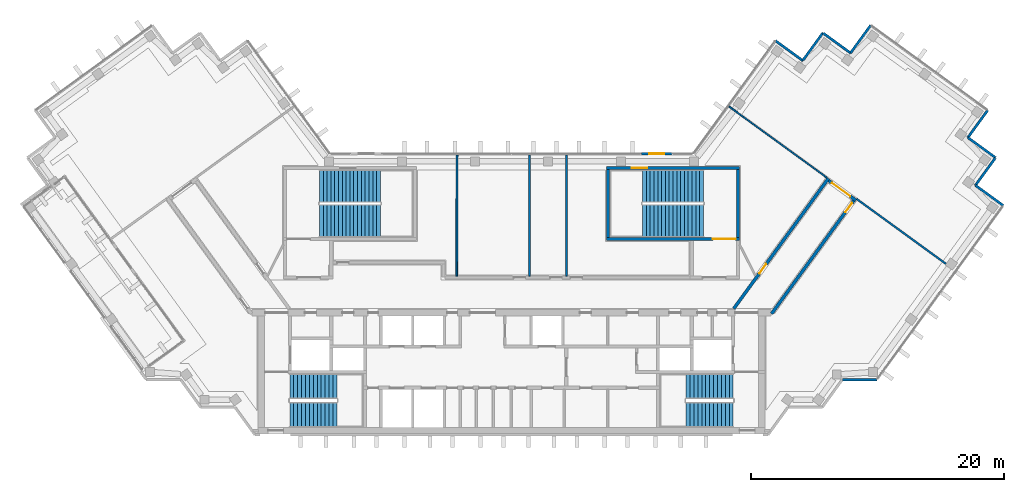
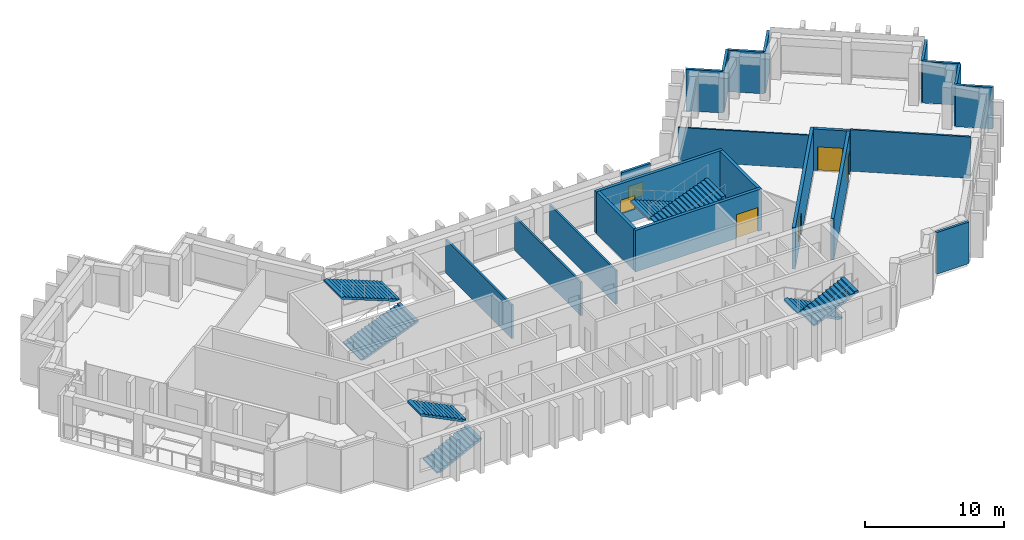
# One storey, part 8 of 10: 22 walls, 8 stair flights, 4 doors, 2 windows, 6 openings, 4 elements without a shape of their own.
"""IFC4 building model written with IfcOpenShell, lengths in metres."""

from ifc_helpers import new_model, si_unit, direction, frame, frame_2d, origin, place, context, subcontext, project, spatial, polyline, rectangle, outline, extrude, material, layer, layer_set, type_object, element, fill, aggregate, save


model = new_model("IFC4")

# Units and contexts
model_context = context("Model", 3, precision=1e-05, world=origin(), true_north=direction((0.0, 1.0)))
body_context = subcontext(model_context, "Body", "Model", "MODEL_VIEW")
ifc_project = project(units=[si_unit("LENGTHUNIT", "METRE"), si_unit("AREAUNIT", "SQUARE_METRE"), si_unit("VOLUMEUNIT", "CUBIC_METRE"), si_unit("PLANEANGLEUNIT", "RADIAN"), si_unit("MASSUNIT", "GRAM", prefix="KILO")], contexts=[model_context])

# Site, building, storey
site_placement = place(None, origin())
site = spatial("IfcSite", under=ifc_project, at=site_placement, CompositionType="ELEMENT")
building_placement = place(site_placement, origin())
building = spatial("IfcBuilding", under=site, at=building_placement, Name="Quipu Civic Tower", CompositionType="ELEMENT")
storey_placement = place(building_placement, frame((0.0, 0.0, 261.0)))
storey = spatial("IfcBuildingStorey", under=building, at=storey_placement, Name="L61", CompositionType="ELEMENT", Elevation=261.0)

# Walls
ifc_material_1 = material(Name="Double gypsum plasterboard with mineral wool")
ifc_layer_1 = layer(ifc_material_1, 0.14990234375)
ifc_layer_set_1 = layer_set([ifc_layer_1], Name="Double gypsum plasterboard with mineral wool")
wall_type_1 = type_object("IfcWallType", Name="Acoustic partition 150 plasterboard", PredefinedType="PARTITIONING", material=ifc_layer_set_1)
for number, where, z_axis, x_axis, name in (
    (1, (-4.29638671875, 11.0, 0.0), (0.0, 0.0, 1.0), (-0.002377476217, -0.999997173799, 0.0), "Partition P03"),
    (2, (1.419921875, 1.449951171875, 0.0), (0.0, 0.0, 1.0), (0.0, 1.0, 0.0), "Partition P04"),
):
    element("IfcWall", number, at=place(storey_placement, frame(where, z_axis=z_axis, x_axis=x_axis)), inside=storey, type_object=wall_type_1, Name=name, PredefinedType="PARTITIONING", context=body_context, shape_type="SweptSolid", body=[
        extrude(rectangle(XDim=9.550048828125, YDim=0.14990234375, at=frame_2d((4.77490234375, 0.0))), origin(), (0.0, 0.0, 1.0), 2.949951171875),
    ])
wall_1_placement = place(storey_placement, frame((27.240478515625, 7.532470703125, 0.0), z_axis=(0.0, 0.0, 1.0), x_axis=(0.809027940177, -0.587770186393, 0.0)))
element("IfcWall", 3, at=wall_1_placement, inside=storey, type_object=wall_type_1, Name="Partition P05", PredefinedType="PARTITIONING", context=body_context, shape_type="SweptSolid", body=[
    extrude(rectangle(XDim=8.71484375, YDim=0.14990234375, at=frame_2d((4.357421875, 0.0))), origin(), (0.0, 0.0, 1.0), 3.64990234375),
])
wall_2_placement = place(storey_placement, frame((4.339111328125, 11.0, 0.0), z_axis=(0.0, 0.0, 1.0), x_axis=(0.0, -1.0, 0.0)))
element("IfcWall", 4, at=wall_2_placement, inside=storey, type_object=wall_type_1, Name="Partition P07", PredefinedType="PARTITIONING", context=body_context, shape_type="SweptSolid", body=[
    extrude(rectangle(XDim=9.550048828125, YDim=0.14990234375, at=frame_2d((4.77490234375, 0.0))), origin(), (0.0, 0.0, 1.0), 2.949951171875),
])

# Wall, opening, door
ifc_material_2 = material(Name="Concrete C70/85", Category="concrete")
ifc_layer_2 = layer(ifc_material_2, 0.25)
ifc_layer_set_2 = layer_set([ifc_layer_2], Name="Concrete C70/85")
wall_type_2 = type_object("IfcWallType", Name="Core wall 250", PredefinedType="SHEAR", material=ifc_layer_set_2)
wall_3_placement = place(storey_placement, frame((7.5, 4.375, 0.0), z_axis=(0.0, 0.0, 1.0), x_axis=(1.0, 0.0, 0.0)))
wall_3 = element("IfcWall", 5, at=wall_3_placement, inside=storey, type_object=wall_type_2, Name="Core wall", PredefinedType="SHEAR", context=body_context, shape_type="SweptSolid", body=[
    extrude(rectangle(XDim=10.5, YDim=0.25, at=frame_2d((5.25, 0.0))), origin(), (0.0, 0.0, 1.0), 3.64990234375),
])
opening_1_placement = place(wall_3_placement, frame((8.39990234375, 0.0, 0.0)))
opening_1 = element("IfcOpeningElement", 6, at=opening_1_placement, cuts=wall_3, Name="Opening CD-30", PredefinedType="OPENING", context=body_context, shape_type="SweptSolid", body=[
    extrude(rectangle(XDim=1.800048828125, YDim=2.10009765625, at=frame_2d((0.89990234375, 1.050048828125))), frame((0.0, 0.135009765625, 0.0), z_axis=(0.0, -1.0, 0.0), x_axis=(1.0, 0.0, 0.0)), (0.0, 0.0, 1.0), 0.27001953125),
])
ifc_material_3 = material(Name="Fire rated steel door", Category="steel")
door_type_1 = type_object("IfcDoorType", Name="Fire door FD90 double 1800 x 2100", OperationType="NOTDEFINED", PredefinedType="DOOR", material=ifc_material_3)
door_1_placement = place(opening_1_placement, origin())
door_1 = element("IfcDoor", 7, at=door_1_placement, inside=storey, type_object=door_type_1, Name="Door", OperationType="DOUBLE_DOOR_SINGLE_SWING", OverallHeight=2.10009765625, OverallWidth=1.800048828125, PredefinedType="DOOR", context=body_context, shape_type="SweptSolid", body=[
    extrude(rectangle(XDim=1.800048828125, YDim=2.10009765625, at=frame_2d((0.89990234375, 1.050048828125))), frame((0.0, 0.02490234375, 0.0), z_axis=(0.0, -1.0, 0.0), x_axis=(1.0, 0.0, 0.0)), (0.0, 0.0, 1.0), 0.050048828125),
])
fill(opening_1, door_1)

# Walls
for number, where, z_axis, x_axis, name in (
    (8, (7.625, 4.5, 0.0), (0.0, 0.0, 1.0), (0.0, 1.0, 0.0), "Core wall"),
    (9, (17.875, 4.5, 0.0), (0.0, 0.0, 1.0), (0.0, 1.0, 0.0), "Core wall"),
):
    element("IfcWall", number, at=place(storey_placement, frame(where, z_axis=z_axis, x_axis=x_axis)), inside=storey, type_object=wall_type_2, Name=name, PredefinedType="SHEAR", context=body_context, shape_type="SweptSolid", body=[
        extrude(rectangle(XDim=5.35009765625, YDim=0.25, at=frame_2d((2.675048828125, 0.0))), origin(), (0.0, 0.0, 1.0), 3.64990234375),
    ])

# Wall, opening, window
wall_4_placement = place(storey_placement, frame((7.5, 9.97509765625, 0.0), z_axis=(0.0, 0.0, 1.0), x_axis=(1.0, 0.0, 0.0)))
wall_4 = element("IfcWall", 10, at=wall_4_placement, inside=storey, type_object=wall_type_2, Name="Core wall", PredefinedType="SHEAR", context=body_context, shape_type="SweptSolid", body=[
    extrude(rectangle(XDim=10.5, YDim=0.25, at=frame_2d((5.25, 0.0))), origin(), (0.0, 0.0, 1.0), 3.64990234375),
])
opening_2_placement = place(wall_4_placement, frame((2.0, 0.0, 1.0)))
opening_2 = element("IfcOpeningElement", 11, at=opening_2_placement, cuts=wall_4, Name="Opening SV-4", PredefinedType="OPENING", context=body_context, shape_type="SweptSolid", body=[
    extrude(rectangle(XDim=1.199951171875, YDim=1.199951171875, at=frame_2d((0.60009765625, 0.60009765625))), frame((0.0, 0.135009765625, 0.0), z_axis=(0.0, -1.0, 0.0), x_axis=(1.0, 0.0, 0.0)), (0.0, 0.0, 1.0), 0.27001953125),
])
ifc_material_4 = material(Name="Aluminium louvre", Category="aluminium")
window_type_1 = type_object("IfcWindowType", Name="Stair ventilation louvre 1200 x 1200", PartitioningType="SINGLE_PANEL", PredefinedType="WINDOW", material=ifc_material_4)
window_1_placement = place(opening_2_placement, origin())
window_1 = element("IfcWindow", 12, at=window_1_placement, inside=storey, type_object=window_type_1, Name="Stair ventilation opening", OverallHeight=1.199951171875, OverallWidth=1.199951171875, PartitioningType="SINGLE_PANEL", PredefinedType="WINDOW", context=body_context, shape_type="SweptSolid", body=[
    extrude(rectangle(XDim=1.199951171875, YDim=1.199951171875, at=frame_2d((0.60009765625, 0.60009765625))), frame((0.0, 0.030029296875, 0.0), z_axis=(0.0, -1.0, 0.0), x_axis=(1.0, 0.0, 0.0)), (0.0, 0.0, 1.0), 0.06005859375),
])
fill(opening_2, window_1)

# Wall, opening, door
ifc_material_5 = material(Name="Concrete C50/60", Category="concrete")
ifc_layer_3 = layer(ifc_material_5, 0.25)
ifc_layer_set_3 = layer_set([ifc_layer_3], Name="Concrete C50/60")
wall_type_3 = type_object("IfcWallType", Name="Corridor wall 250 concrete", PredefinedType="SOLIDWALL", material=ifc_layer_set_3)
wall_5_placement = place(storey_placement, frame((17.544921875, -1.124755859375, 0.0), z_axis=(0.0, 0.0, 1.0), x_axis=(0.587796810203, 0.809008596935, 0.0)))
wall_5 = element("IfcWall", 13, at=wall_5_placement, inside=storey, type_object=wall_type_3, Name="Corridor wall C01", PredefinedType="SOLIDWALL", context=body_context, shape_type="SweptSolid", body=[
    extrude(rectangle(XDim=12.703125, YDim=0.25, at=frame_2d((6.3515625, 0.0))), origin(), (0.0, 0.0, 1.0), 3.64990234375),
])
opening_3_placement = place(wall_5_placement, frame((3.44140625, 0.0, 0.0)))
opening_3 = element("IfcOpeningElement", 14, at=opening_3_placement, cuts=wall_5, Name="Opening D001", PredefinedType="OPENING", context=body_context, shape_type="SweptSolid", body=[
    extrude(rectangle(XDim=0.89990234375, YDim=2.10009765625, at=frame_2d((0.449951171875, 1.050048828125))), frame((0.0, 0.135009765625, 0.0), z_axis=(0.0, -1.0, 0.0), x_axis=(1.0, 0.0, 0.0)), (0.0, 0.0, 1.0), 0.27001953125),
])
ifc_material_6 = material(Name="Fire rated timber door set with metal frame", Category="wood")
door_type_2 = type_object("IfcDoorType", Name="Single door 900 x 2100 FD60", OperationType="NOTDEFINED", PredefinedType="DOOR", material=ifc_material_6)
door_2_placement = place(opening_3_placement, origin())
door_2 = element("IfcDoor", 15, at=door_2_placement, inside=storey, type_object=door_type_2, Name="Door D001", OperationType="SINGLE_SWING_LEFT", OverallHeight=2.10009765625, OverallWidth=0.89990234375, PredefinedType="DOOR", context=body_context, shape_type="SweptSolid", body=[
    extrude(rectangle(XDim=0.89990234375, YDim=2.10009765625, at=frame_2d((0.449951171875, 1.050048828125))), frame((0.0, 0.02490234375, 0.0), z_axis=(0.0, -1.0, 0.0), x_axis=(1.0, 0.0, 0.0)), (0.0, 0.0, 1.0), 0.050048828125),
])
fill(opening_3, door_2)

wall_6_placement = place(storey_placement, frame((25.039306640625, 8.9775390625, 0.0), z_axis=(0.0, 0.0, 1.0), x_axis=(0.809006914995, -0.587799125119, 0.0)))
wall_6 = element("IfcWall", 16, at=wall_6_placement, inside=storey, type_object=wall_type_3, Name="Corridor wall C02", PredefinedType="SOLIDWALL", context=body_context, shape_type="SweptSolid", body=[
    extrude(rectangle(XDim=2.64990234375, YDim=0.25, at=frame_2d((1.324951171875, 0.0))), origin(), (0.0, 0.0, 1.0), 3.64990234375),
])
opening_4_placement = place(wall_6_placement, frame((0.300537109375, 0.0, 0.0)))
opening_4 = element("IfcOpeningElement", 17, at=opening_4_placement, cuts=wall_6, Name="Opening D003", PredefinedType="OPENING", context=body_context, shape_type="SweptSolid", body=[
    extrude(rectangle(XDim=1.800048828125, YDim=2.10009765625, at=frame_2d((0.89990234375, 1.050048828125))), frame((0.0, 0.135009765625, 0.0), z_axis=(0.0, -1.0, 0.0), x_axis=(1.0, 0.0, 0.0)), (0.0, 0.0, 1.0), 0.27001953125),
])
ifc_material_7 = material(Name="Fire rated timber door set with metal frame", Category="wood")
door_type_3 = type_object("IfcDoorType", Name="Double door 1800 x 2100 FD60", OperationType="DOUBLE_DOOR_SINGLE_SWING", PredefinedType="DOOR", material=ifc_material_7)
door_3_placement = place(opening_4_placement, origin())
door_3 = element("IfcDoor", 18, at=door_3_placement, inside=storey, type_object=door_type_3, Name="Door D003", OperationType="DOUBLE_DOOR_SINGLE_SWING", OverallHeight=2.10009765625, OverallWidth=1.800048828125, PredefinedType="DOOR", context=body_context, shape_type="SweptSolid", body=[
    extrude(rectangle(XDim=1.800048828125, YDim=2.10009765625, at=frame_2d((0.89990234375, 1.050048828125))), frame((0.0, 0.02490234375, 0.0), z_axis=(0.0, -1.0, 0.0), x_axis=(1.0, 0.0, 0.0)), (0.0, 0.0, 1.0), 0.050048828125),
])
fill(opening_4, door_3)

wall_7_placement = place(storey_placement, frame((27.008544921875, 7.392333984375, 0.0), z_axis=(0.0, 0.0, 1.0), x_axis=(-0.587776457057, -0.809023384414, 0.0)))
wall_7 = element("IfcWall", 19, at=wall_7_placement, inside=storey, type_object=wall_type_3, Name="Corridor wall C03", PredefinedType="SOLIDWALL", context=body_context, shape_type="SweptSolid", body=[
    extrude(rectangle(XDim=11.0205078125, YDim=0.25, at=frame_2d((5.51025390625, 0.0))), origin(), (0.0, 0.0, 1.0), 3.64990234375),
])
opening_5_placement = place(wall_7_placement, frame((0.224609375, 0.0, 0.0)))
opening_5 = element("IfcOpeningElement", 20, at=opening_5_placement, cuts=wall_7, Name="Opening D002", PredefinedType="OPENING", context=body_context, shape_type="SweptSolid", body=[
    extrude(rectangle(XDim=0.89990234375, YDim=2.10009765625, at=frame_2d((0.449951171875, 1.050048828125))), frame((0.0, 0.135009765625, 0.0), z_axis=(0.0, -1.0, 0.0), x_axis=(1.0, 0.0, 0.0)), (0.0, 0.0, 1.0), 0.27001953125),
])
door_4_placement = place(opening_5_placement, origin())
door_4 = element("IfcDoor", 21, at=door_4_placement, inside=storey, type_object=door_type_2, Name="Door D002", OperationType="SINGLE_SWING_LEFT", OverallHeight=2.10009765625, OverallWidth=0.89990234375, PredefinedType="DOOR", context=body_context, shape_type="SweptSolid", body=[
    extrude(rectangle(XDim=0.89990234375, YDim=2.10009765625, at=frame_2d((0.449951171875, 1.050048828125))), frame((0.0, 0.02490234375, 0.0), z_axis=(0.0, -1.0, 0.0), x_axis=(1.0, 0.0, 0.0)), (0.0, 0.0, 1.0), 0.050048828125),
])
fill(opening_5, door_4)

# Walls
ifc_material_8 = material(Name="Gypsum plasterboard on light gauge framing")
ifc_layer_4 = layer(ifc_material_8, 0.1201171875)
ifc_layer_set_4 = layer_set([ifc_layer_4], Name="Gypsum plasterboard on light gauge framing")
wall_type_4 = type_object("IfcWallType", Name="Partition 120 plasterboard", PredefinedType="PARTITIONING", material=ifc_layer_set_4)
wall_8_placement = place(storey_placement, frame((24.89794921875, 9.20947265625, 0.0), z_axis=(0.0, 0.0, 1.0), x_axis=(-0.809013490065, 0.587790075531, 0.0)))
element("IfcWall", 22, at=wall_8_placement, inside=storey, type_object=wall_type_4, Name="Partition P01", PredefinedType="PARTITIONING", context=body_context, shape_type="SweptSolid", body=[
    extrude(rectangle(XDim=9.54931640625, YDim=0.1201171875, at=frame_2d((4.774658203125, 0.0))), origin(), (0.0, 0.0, 1.0), 2.949951171875),
])
ifc_material_9 = material(Name="Precast concrete C40/50", Category="concrete")
wall_type_5 = type_object("IfcWallType", Name="Precast cladding wall", PredefinedType="SOLIDWALL", material=ifc_material_9)
for number, where, z_axis, x_axis, name in (
    (23, (26.1298828125, -6.71923828125, 0.0), (0.0, 0.0, 1.0), (1.0, 0.0, 0.0), "Precast cladding wall L61 P09"),
    (24, (38.813720703125, 7.010498046875, 0.0), (0.0, 0.0, 1.0), (-0.809033161865, 0.587762999008, 0.0), "Precast cladding wall L61 P11"),
    (25, (36.60205078125, 8.580322265625, 0.0), (0.0, 0.0, 1.0), (0.587822180636, 0.808990163075, 0.0), "Precast cladding wall L61 P12"),
    (26, (38.21630859375, 10.78173828125, 0.0), (0.0, 0.0, 1.0), (-0.809033161865, 0.587762999008, 0.0), "Precast cladding wall L61 P13"),
    (27, (36.0048828125, 12.3515625, 0.0), (0.0, 0.0, 1.0), (0.587762999008, 0.809033161865, 0.0), "Precast cladding wall L61 P14"),
):
    element("IfcWall", number, at=place(storey_placement, frame(where, z_axis=z_axis, x_axis=x_axis)), inside=storey, type_object=wall_type_5, Name=name, PredefinedType="SOLIDWALL", context=body_context, shape_type="SweptSolid", body=[
        extrude(rectangle(XDim=2.699951171875, YDim=0.199951171875, at=frame_2d((1.35009765625, 0.0))), origin(), (0.0, 0.0, 1.0), 3.64990234375),
    ])
for number, where, z_axis, x_axis, name in (
    (28, (28.3544921875, 21.247314453125, 0.0), (0.0, 0.0, 1.0), (-0.587720002413, -0.809064397168, 0.0), "Precast cladding wall L61 P16"),
    (29, (26.78466796875, 19.03564453125, 0.0), (0.0, 0.0, 1.0), (-0.809064397168, 0.587720002413, 0.0), "Precast cladding wall L61 P17"),
):
    element("IfcWall", number, at=place(storey_placement, frame(where, z_axis=z_axis, x_axis=x_axis)), inside=storey, type_object=wall_type_5, Name=name, PredefinedType="SOLIDWALL", context=body_context, shape_type="SweptSolid", body=[
        extrude(rectangle(XDim=2.7001953125, YDim=0.199951171875, at=frame_2d((1.35009765625, 0.0))), origin(), (0.0, 0.0, 1.0), 3.64990234375),
    ])
for number, where, z_axis, x_axis, name in (
    (30, (24.583251953125, 20.64990234375, 0.0), (0.0, 0.0, 1.0), (-0.587762999008, -0.809033161865, 0.0), "Precast cladding wall L61 P18"),
    (31, (23.01318359375, 18.438232421875, 0.0), (0.0, 0.0, 1.0), (-0.808990163075, 0.587822180636, 0.0), "Precast cladding wall L61 P19"),
):
    element("IfcWall", number, at=place(storey_placement, frame(where, z_axis=z_axis, x_axis=x_axis)), inside=storey, type_object=wall_type_5, Name=name, PredefinedType="SOLIDWALL", context=body_context, shape_type="SweptSolid", body=[
        extrude(rectangle(XDim=2.699951171875, YDim=0.199951171875, at=frame_2d((1.35009765625, 0.0))), origin(), (0.0, 0.0, 1.0), 3.64990234375),
    ])

# Wall, opening, window
wall_9_placement = place(storey_placement, frame((12.655029296875, 11.10009765625, 0.0), z_axis=(0.0, 0.0, 1.0), x_axis=(-1.0, 0.0, 0.0)))
wall_9 = element("IfcWall", 32, at=wall_9_placement, inside=storey, type_object=wall_type_5, Name="Vent surround SF-L59-2", PredefinedType="SOLIDWALL", context=body_context, shape_type="SweptSolid", body=[
    extrude(rectangle(XDim=2.3916015625, YDim=0.199951171875, at=frame_2d((1.19580078125, 0.0))), origin(), (0.0, 0.0, 1.0), 3.64990234375),
])
opening_6_placement = place(wall_9_placement, frame((0.595703125, 0.0, 1.0)))
opening_6 = element("IfcOpeningElement", 33, at=opening_6_placement, cuts=wall_9, Name="Opening SF-L59-2", PredefinedType="OPENING", context=body_context, shape_type="SweptSolid", body=[
    extrude(rectangle(XDim=1.199951171875, YDim=1.199951171875, at=frame_2d((0.60009765625, 0.60009765625))), frame((0.0, 0.10986328125, 0.0), z_axis=(0.0, -1.0, 0.0), x_axis=(1.0, 0.0, 0.0)), (0.0, 0.0, 1.0), 0.219970703125),
])
ifc_material_10 = material(Name="Anodised aluminium louvre", Category="aluminium")
window_type_2 = type_object("IfcWindowType", Name="Stair vent louvre window P3", PartitioningType="SINGLE_PANEL", PredefinedType="WINDOW", material=ifc_material_10)
window_2_placement = place(opening_6_placement, origin())
window_2 = element("IfcWindow", 34, at=window_2_placement, inside=storey, type_object=window_type_2, Name="Stair vent louvre SF-L59-2", OverallHeight=1.199951171875, OverallWidth=1.199951171875, PartitioningType="SINGLE_PANEL", PredefinedType="WINDOW", context=body_context, shape_type="SweptSolid", body=[
    extrude(rectangle(XDim=1.199951171875, YDim=1.199951171875, at=frame_2d((0.60009765625, 0.60009765625))), frame((0.0, 0.030029296875, 0.0), z_axis=(0.0, -1.0, 0.0), x_axis=(1.0, 0.0, 0.0)), (0.0, 0.0, 1.0), 0.06005859375),
])
fill(opening_6, window_2)

# Stair, stair flights
ifc_material_11 = material(Name="Concrete C40/50", Category="concrete")
stair_type_1 = type_object("IfcStairType", Name="Half turn stair 2000", PredefinedType="HALF_TURN_STAIR", material=ifc_material_11)
stair_1_placement = place(storey_placement, origin())
stair_1 = element("IfcStair", 35, at=stair_1_placement, inside=storey, type_object=stair_type_1, Name="Exit stair 1", PredefinedType="HALF_TURN_STAIR")
ifc_material_12 = material(Name="Concrete C40/50", Category="concrete")
stair_flight_type_1 = type_object("IfcStairFlightType", Name="Stair flight 2000", PredefinedType="STRAIGHT", material=ifc_material_12)
stair_flight_1_placement = place(storey_placement, frame((-17.5, -9.5, 0.0), z_axis=(0.0, 0.0, 1.0), x_axis=(1.0, 0.0, 0.0)))
stair_flight_1 = element("IfcStairFlight", 36, at=stair_flight_1_placement, type_object=stair_flight_type_1, Name="ST-1 flight 1", NumberOfRisers=13, NumberOfTreads=12, PredefinedType="STRAIGHT", RiserHeight=0.153846154, TreadLength=0.31, context=body_context, shape_type="SweptSolid", body=[
    extrude(outline(polyline([(0.0, 0.0), (0.0, 0.15380859375), (0.31005859375, 0.15380859375), (0.31005859375, 0.3076171875), (0.6201171875, 0.3076171875), (0.6201171875, 0.46142578125), (0.929931640625, 0.46142578125), (0.929931640625, 0.615478515625), (1.239990234375, 0.615478515625), (1.239990234375, 0.769287109375), (1.550048828125, 0.769287109375), (1.550048828125, 0.923095703125), (1.860107421875, 0.923095703125), (1.860107421875, 1.076904296875), (2.169921875, 1.076904296875), (2.169921875, 1.230712890625), (2.47998046875, 1.230712890625), (2.47998046875, 1.384521484375), (2.7900390625, 1.384521484375), (2.7900390625, 1.53857421875), (3.10009765625, 1.53857421875), (3.10009765625, 1.6923828125), (3.409912109375, 1.6923828125), (3.409912109375, 1.84619140625), (3.719970703125, 1.84619140625), (3.719970703125, 2.0), (3.719970703125, 1.6787109375), (0.337158203125, 0.0), (0.0, 0.0)])), frame((0.0, 1.0, 0.0), z_axis=(0.0, -1.0, 0.0), x_axis=(1.0, 0.0, 0.0)), (0.0, 0.0, 1.0), 2.0),
])
stair_flight_2_placement = place(storey_placement, frame((-13.780029296875, -7.25, 2.0), z_axis=(0.0, 0.0, 1.0), x_axis=(-1.0, 0.0, 0.0)))
stair_flight_2 = element("IfcStairFlight", 37, at=stair_flight_2_placement, type_object=stair_flight_type_1, Name="ST-1 flight 2", NumberOfRisers=13, NumberOfTreads=12, PredefinedType="STRAIGHT", RiserHeight=0.153846154, TreadLength=0.31, context=body_context, shape_type="SweptSolid", body=[
    extrude(outline(polyline([(0.0, 0.0), (0.0, 0.15380859375), (0.31005859375, 0.15380859375), (0.31005859375, 0.3076171875), (0.6201171875, 0.3076171875), (0.6201171875, 0.46142578125), (0.929931640625, 0.46142578125), (0.929931640625, 0.615478515625), (1.239990234375, 0.615478515625), (1.239990234375, 0.769287109375), (1.550048828125, 0.769287109375), (1.550048828125, 0.923095703125), (1.860107421875, 0.923095703125), (1.860107421875, 1.076904296875), (2.169921875, 1.076904296875), (2.169921875, 1.230712890625), (2.47998046875, 1.230712890625), (2.47998046875, 1.384521484375), (2.7900390625, 1.384521484375), (2.7900390625, 1.53857421875), (3.10009765625, 1.53857421875), (3.10009765625, 1.6923828125), (3.409912109375, 1.6923828125), (3.409912109375, 1.84619140625), (3.719970703125, 1.84619140625), (3.719970703125, 2.0), (3.719970703125, 1.6787109375), (0.337158203125, 0.0), (0.0, 0.0)])), frame((0.0, 1.0, 0.0), z_axis=(0.0, -1.0, 0.0), x_axis=(1.0, 0.0, 0.0)), (0.0, 0.0, 1.0), 2.0),
])
aggregate(stair_1, [stair_flight_1, stair_flight_2])

stair_2_placement = place(storey_placement, origin())
stair_2 = element("IfcStair", 38, at=stair_2_placement, inside=storey, type_object=stair_type_1, Name="Exit stair 2", PredefinedType="HALF_TURN_STAIR")
stair_flight_3_placement = place(storey_placement, frame((17.5, -7.25, 0.0), z_axis=(0.0, 0.0, 1.0), x_axis=(-1.0, 0.0, 0.0)))
stair_flight_3 = element("IfcStairFlight", 39, at=stair_flight_3_placement, type_object=stair_flight_type_1, Name="ST-2 flight 1", NumberOfRisers=13, NumberOfTreads=12, PredefinedType="STRAIGHT", RiserHeight=0.153846154, TreadLength=0.31, context=body_context, shape_type="SweptSolid", body=[
    extrude(outline(polyline([(0.0, 0.0), (0.0, 0.15380859375), (0.31005859375, 0.15380859375), (0.31005859375, 0.3076171875), (0.6201171875, 0.3076171875), (0.6201171875, 0.46142578125), (0.929931640625, 0.46142578125), (0.929931640625, 0.615478515625), (1.239990234375, 0.615478515625), (1.239990234375, 0.769287109375), (1.550048828125, 0.769287109375), (1.550048828125, 0.923095703125), (1.860107421875, 0.923095703125), (1.860107421875, 1.076904296875), (2.169921875, 1.076904296875), (2.169921875, 1.230712890625), (2.47998046875, 1.230712890625), (2.47998046875, 1.384521484375), (2.7900390625, 1.384521484375), (2.7900390625, 1.53857421875), (3.10009765625, 1.53857421875), (3.10009765625, 1.6923828125), (3.409912109375, 1.6923828125), (3.409912109375, 1.84619140625), (3.719970703125, 1.84619140625), (3.719970703125, 2.0), (3.719970703125, 1.6787109375), (0.337158203125, 0.0), (0.0, 0.0)])), frame((0.0, 1.0, 0.0), z_axis=(0.0, -1.0, 0.0), x_axis=(1.0, 0.0, 0.0)), (0.0, 0.0, 1.0), 2.0),
])
stair_flight_4_placement = place(storey_placement, frame((13.780029296875, -9.5, 2.0), z_axis=(0.0, 0.0, 1.0), x_axis=(1.0, 0.0, 0.0)))
stair_flight_4 = element("IfcStairFlight", 40, at=stair_flight_4_placement, type_object=stair_flight_type_1, Name="ST-2 flight 2", NumberOfRisers=13, NumberOfTreads=12, PredefinedType="STRAIGHT", RiserHeight=0.153846154, TreadLength=0.31, context=body_context, shape_type="SweptSolid", body=[
    extrude(outline(polyline([(0.0, 0.0), (0.0, 0.15380859375), (0.31005859375, 0.15380859375), (0.31005859375, 0.3076171875), (0.6201171875, 0.3076171875), (0.6201171875, 0.46142578125), (0.929931640625, 0.46142578125), (0.929931640625, 0.615478515625), (1.239990234375, 0.615478515625), (1.239990234375, 0.769287109375), (1.550048828125, 0.769287109375), (1.550048828125, 0.923095703125), (1.860107421875, 0.923095703125), (1.860107421875, 1.076904296875), (2.169921875, 1.076904296875), (2.169921875, 1.230712890625), (2.47998046875, 1.230712890625), (2.47998046875, 1.384521484375), (2.7900390625, 1.384521484375), (2.7900390625, 1.53857421875), (3.10009765625, 1.53857421875), (3.10009765625, 1.6923828125), (3.409912109375, 1.6923828125), (3.409912109375, 1.84619140625), (3.719970703125, 1.84619140625), (3.719970703125, 2.0), (3.719970703125, 1.6787109375), (0.337158203125, 0.0), (0.0, 0.0)])), frame((0.0, 1.0, 0.0), z_axis=(0.0, -1.0, 0.0), x_axis=(1.0, 0.0, 0.0)), (0.0, 0.0, 1.0), 2.0),
])
aggregate(stair_2, [stair_flight_3, stair_flight_4])

ifc_material_13 = material(Name="Concrete C40/50", Category="concrete")
stair_type_2 = type_object("IfcStairType", Name="Half turn stair 2600", PredefinedType="HALF_TURN_STAIR", material=ifc_material_13)
stair_3_placement = place(storey_placement, origin())
stair_3 = element("IfcStair", 41, at=stair_3_placement, inside=storey, type_object=stair_type_2, Name="Exit stair 3", PredefinedType="HALF_TURN_STAIR")
ifc_material_14 = material(Name="Concrete C40/50", Category="concrete")
stair_flight_type_2 = type_object("IfcStairFlightType", Name="Stair flight 2600", PredefinedType="STRAIGHT", material=ifc_material_14)
stair_flight_5_placement = place(storey_placement, frame((-15.14990234375, 5.800048828125, 0.0), z_axis=(0.0, 0.0, 1.0), x_axis=(1.0, 0.0, 0.0)))
stair_flight_5 = element("IfcStairFlight", 42, at=stair_flight_5_placement, type_object=stair_flight_type_2, Name="ST-3 flight 1", NumberOfRisers=17, NumberOfTreads=16, PredefinedType="STRAIGHT", RiserHeight=0.117647059, TreadLength=0.3, context=body_context, shape_type="SweptSolid", body=[
    extrude(outline(polyline([(0.0, 0.0), (0.0, 0.11767578125), (0.300048828125, 0.11767578125), (0.300048828125, 0.2353515625), (0.60009765625, 0.2353515625), (0.60009765625, 0.35302734375), (0.89990234375, 0.35302734375), (0.89990234375, 0.470703125), (1.199951171875, 0.470703125), (1.199951171875, 0.588134765625), (1.5, 0.588134765625), (1.5, 0.705810546875), (1.800048828125, 0.705810546875), (1.800048828125, 0.823486328125), (2.10009765625, 0.823486328125), (2.10009765625, 0.941162109375), (2.39990234375, 0.941162109375), (2.39990234375, 1.058837890625), (2.699951171875, 1.058837890625), (2.699951171875, 1.176513671875), (3.0, 1.176513671875), (3.0, 1.294189453125), (3.300048828125, 1.294189453125), (3.300048828125, 1.411865234375), (3.60009765625, 1.411865234375), (3.60009765625, 1.529296875), (3.89990234375, 1.529296875), (3.89990234375, 1.64697265625), (4.199951171875, 1.64697265625), (4.199951171875, 1.7646484375), (4.5, 1.7646484375), (4.5, 1.88232421875), (4.800048828125, 1.88232421875), (4.800048828125, 2.0), (4.800048828125, 1.721435546875), (0.41064453125, 0.0), (0.0, 0.0)])), frame((0.0, 1.300048828125, 0.0), z_axis=(0.0, -1.0, 0.0), x_axis=(1.0, 0.0, 0.0)), (0.0, 0.0, 1.0), 2.60009765625),
])
stair_flight_6_placement = place(storey_placement, frame((-10.35009765625, 8.550048828125, 2.0), z_axis=(0.0, 0.0, 1.0), x_axis=(-1.0, 0.0, 0.0)))
stair_flight_6 = element("IfcStairFlight", 43, at=stair_flight_6_placement, type_object=stair_flight_type_2, Name="ST-3 flight 2", NumberOfRisers=17, NumberOfTreads=16, PredefinedType="STRAIGHT", RiserHeight=0.117647059, TreadLength=0.3, context=body_context, shape_type="SweptSolid", body=[
    extrude(outline(polyline([(0.0, 0.0), (0.0, 0.11767578125), (0.300048828125, 0.11767578125), (0.300048828125, 0.2353515625), (0.60009765625, 0.2353515625), (0.60009765625, 0.35302734375), (0.89990234375, 0.35302734375), (0.89990234375, 0.470703125), (1.199951171875, 0.470703125), (1.199951171875, 0.588134765625), (1.5, 0.588134765625), (1.5, 0.705810546875), (1.800048828125, 0.705810546875), (1.800048828125, 0.823486328125), (2.10009765625, 0.823486328125), (2.10009765625, 0.941162109375), (2.39990234375, 0.941162109375), (2.39990234375, 1.058837890625), (2.699951171875, 1.058837890625), (2.699951171875, 1.176513671875), (3.0, 1.176513671875), (3.0, 1.294189453125), (3.300048828125, 1.294189453125), (3.300048828125, 1.411865234375), (3.60009765625, 1.411865234375), (3.60009765625, 1.529296875), (3.89990234375, 1.529296875), (3.89990234375, 1.64697265625), (4.199951171875, 1.64697265625), (4.199951171875, 1.7646484375), (4.5, 1.7646484375), (4.5, 1.88232421875), (4.800048828125, 1.88232421875), (4.800048828125, 2.0), (4.800048828125, 1.721435546875), (0.41064453125, 0.0), (0.0, 0.0)])), frame((0.0, 1.300048828125, 0.0), z_axis=(0.0, -1.0, 0.0), x_axis=(1.0, 0.0, 0.0)), (0.0, 0.0, 1.0), 2.60009765625),
])
aggregate(stair_3, [stair_flight_5, stair_flight_6])

stair_4_placement = place(storey_placement, origin())
stair_4 = element("IfcStair", 44, at=stair_4_placement, inside=storey, type_object=stair_type_2, Name="Exit stair 4", PredefinedType="HALF_TURN_STAIR")
stair_flight_7_placement = place(storey_placement, frame((15.14990234375, 8.550048828125, 0.0), z_axis=(0.0, 0.0, 1.0), x_axis=(-1.0, 0.0, 0.0)))
stair_flight_7 = element("IfcStairFlight", 45, at=stair_flight_7_placement, type_object=stair_flight_type_2, Name="ST-4 flight 1", NumberOfRisers=17, NumberOfTreads=16, PredefinedType="STRAIGHT", RiserHeight=0.117647059, TreadLength=0.3, context=body_context, shape_type="SweptSolid", body=[
    extrude(outline(polyline([(0.0, 0.0), (0.0, 0.11767578125), (0.300048828125, 0.11767578125), (0.300048828125, 0.2353515625), (0.60009765625, 0.2353515625), (0.60009765625, 0.35302734375), (0.89990234375, 0.35302734375), (0.89990234375, 0.470703125), (1.199951171875, 0.470703125), (1.199951171875, 0.588134765625), (1.5, 0.588134765625), (1.5, 0.705810546875), (1.800048828125, 0.705810546875), (1.800048828125, 0.823486328125), (2.10009765625, 0.823486328125), (2.10009765625, 0.941162109375), (2.39990234375, 0.941162109375), (2.39990234375, 1.058837890625), (2.699951171875, 1.058837890625), (2.699951171875, 1.176513671875), (3.0, 1.176513671875), (3.0, 1.294189453125), (3.300048828125, 1.294189453125), (3.300048828125, 1.411865234375), (3.60009765625, 1.411865234375), (3.60009765625, 1.529296875), (3.89990234375, 1.529296875), (3.89990234375, 1.64697265625), (4.199951171875, 1.64697265625), (4.199951171875, 1.7646484375), (4.5, 1.7646484375), (4.5, 1.88232421875), (4.800048828125, 1.88232421875), (4.800048828125, 2.0), (4.800048828125, 1.721435546875), (0.41064453125, 0.0), (0.0, 0.0)])), frame((0.0, 1.300048828125, 0.0), z_axis=(0.0, -1.0, 0.0), x_axis=(1.0, 0.0, 0.0)), (0.0, 0.0, 1.0), 2.60009765625),
])
stair_flight_8_placement = place(storey_placement, frame((10.35009765625, 5.800048828125, 2.0), z_axis=(0.0, 0.0, 1.0), x_axis=(1.0, 0.0, 0.0)))
stair_flight_8 = element("IfcStairFlight", 46, at=stair_flight_8_placement, type_object=stair_flight_type_2, Name="ST-4 flight 2", NumberOfRisers=17, NumberOfTreads=16, PredefinedType="STRAIGHT", RiserHeight=0.117647059, TreadLength=0.3, context=body_context, shape_type="SweptSolid", body=[
    extrude(outline(polyline([(0.0, 0.0), (0.0, 0.11767578125), (0.300048828125, 0.11767578125), (0.300048828125, 0.2353515625), (0.60009765625, 0.2353515625), (0.60009765625, 0.35302734375), (0.89990234375, 0.35302734375), (0.89990234375, 0.470703125), (1.199951171875, 0.470703125), (1.199951171875, 0.588134765625), (1.5, 0.588134765625), (1.5, 0.705810546875), (1.800048828125, 0.705810546875), (1.800048828125, 0.823486328125), (2.10009765625, 0.823486328125), (2.10009765625, 0.941162109375), (2.39990234375, 0.941162109375), (2.39990234375, 1.058837890625), (2.699951171875, 1.058837890625), (2.699951171875, 1.176513671875), (3.0, 1.176513671875), (3.0, 1.294189453125), (3.300048828125, 1.294189453125), (3.300048828125, 1.411865234375), (3.60009765625, 1.411865234375), (3.60009765625, 1.529296875), (3.89990234375, 1.529296875), (3.89990234375, 1.64697265625), (4.199951171875, 1.64697265625), (4.199951171875, 1.7646484375), (4.5, 1.7646484375), (4.5, 1.88232421875), (4.800048828125, 1.88232421875), (4.800048828125, 2.0), (4.800048828125, 1.721435546875), (0.41064453125, 0.0), (0.0, 0.0)])), frame((0.0, 1.300048828125, 0.0), z_axis=(0.0, -1.0, 0.0), x_axis=(1.0, 0.0, 0.0)), (0.0, 0.0, 1.0), 2.60009765625),
])
aggregate(stair_4, [stair_flight_7, stair_flight_8])

save(model, "model.ifc")
